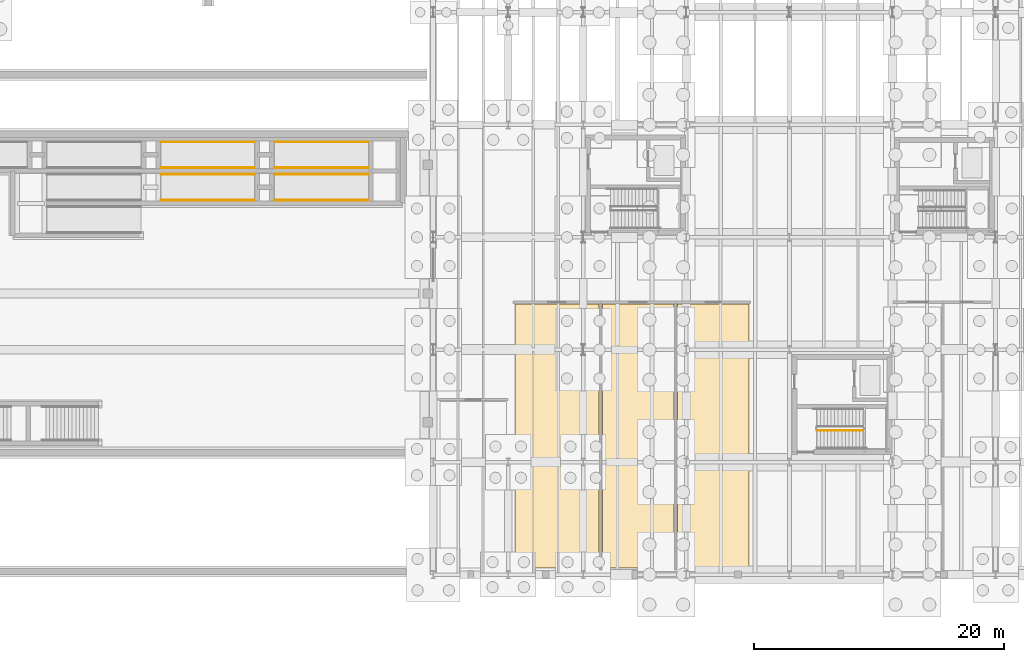
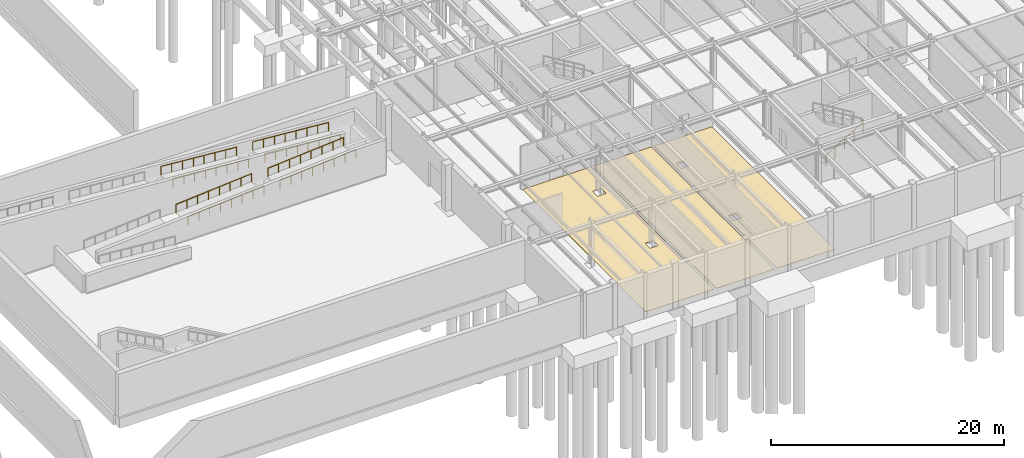
# One storey, part 52 of 59: 9 railings, 3 coverings.
"""IFC4 building model written with IfcOpenShell, lengths in metres."""

from ifc_helpers import new_model, si_unit, direction, frame, origin, origin_2d, place, context, subcontext, project, spatial, polyline, circle, outline, extrude, material, layer, layer_set, type_object, element, save


model = new_model("IFC4")

# Units and contexts
model_context = context("Model", 3, precision=1e-05, world=origin(), true_north=direction((0.0, 1.0)))
body_context = subcontext(model_context, "Body", "Model", "MODEL_VIEW")
ifc_project = project(units=[si_unit("LENGTHUNIT", "METRE"), si_unit("AREAUNIT", "SQUARE_METRE"), si_unit("VOLUMEUNIT", "CUBIC_METRE"), si_unit("PLANEANGLEUNIT", "RADIAN"), si_unit("MASSUNIT", "GRAM", prefix="KILO")], contexts=[model_context])

# Site, building, storey
site_placement = place(None, origin())
site = spatial("IfcSite", under=ifc_project, at=site_placement, CompositionType="ELEMENT")
building_placement = place(site_placement, origin())
building = spatial("IfcBuilding", under=site, at=building_placement, Name="Montealbar Specialist Clinic", CompositionType="ELEMENT")
storey_placement = place(building_placement, frame((0.0, 0.0, -4.800048828125)))
storey = spatial("IfcBuildingStorey", under=building, at=storey_placement, Name="B01", CompositionType="ELEMENT", Elevation=-4.800048828125)

# Coverings
ifc_material_1 = material(Name="Antimicrobial clinical linoleum", Category="wood")
ifc_layer_1 = layer(ifc_material_1, 0.02001953125, Name="Antimicrobial clinical linoleum", Category="wood")
ifc_layer_set_1 = layer_set([ifc_layer_1], Name="Antimicrobial clinical linoleum")
covering_type = type_object("IfcCoveringType", Name="COV-FLR-LINOLEUM", PredefinedType="FLOORING", material=ifc_layer_set_1)
covering_1_placement = place(storey_placement, origin())
element("IfcCovering", 1, at=covering_1_placement, inside=storey, type_object=covering_type, Name="Clinical Flooring Central Sterile Supply & Autoclave Room", PredefinedType="FLOORING", context=body_context, shape_type="SweptSolid", body=[
    extrude(outline(polyline([(60.530029296875, 21.669921875), (67.27001953125, 21.669921875), (67.27001953125, 0.530029296875), (60.530029296875, 0.530029296875), (60.530029296875, 21.669921875)]), holes=[polyline([(66.419921875, 9.419921875), (65.580078125, 9.419921875), (65.580078125, 8.580078125), (66.419921875, 8.580078125), (66.419921875, 9.419921875)]), polyline([(66.419921875, 18.419921875), (65.580078125, 18.419921875), (65.580078125, 17.580078125), (66.419921875, 17.580078125), (66.419921875, 18.419921875)])]), origin(), (0.0, 0.0, 1.0), 0.02001953125),
])
covering_2_placement = place(storey_placement, origin())
element("IfcCovering", 2, at=covering_2_placement, inside=storey, type_object=covering_type, Name="Clinical Flooring Sterile Instrument Packing & Prep Room", PredefinedType="FLOORING", context=body_context, shape_type="SweptSolid", body=[
    extrude(outline(polyline([(67.530029296875, 21.669921875), (73.27001953125, 21.669921875), (73.27001953125, 0.530029296875), (67.530029296875, 0.530029296875), (67.530029296875, 21.669921875)])), origin(), (0.0, 0.0, 1.0), 0.02001953125),
])
covering_3_placement = place(storey_placement, origin())
element("IfcCovering", 3, at=covering_3_placement, inside=storey, type_object=covering_type, Name="Clinical Flooring Hospital Pharmacy Automated Cold Vault", PredefinedType="FLOORING", context=body_context, shape_type="SweptSolid", body=[
    extrude(outline(polyline([(73.530029296875, 21.669921875), (79.27001953125, 21.669921875), (79.27001953125, 0.530029296875), (73.530029296875, 0.530029296875), (73.530029296875, 21.669921875)]), holes=[polyline([(74.669921875, 9.419921875), (73.830078125, 9.419921875), (73.830078125, 8.580078125), (74.669921875, 8.580078125), (74.669921875, 9.419921875)]), polyline([(74.669921875, 18.419921875), (73.830078125, 18.419921875), (73.830078125, 17.580078125), (74.669921875, 17.580078125), (74.669921875, 18.419921875)])]), origin(), (0.0, 0.0, 1.0), 0.02001953125),
])

# Railings
ifc_material_2 = material(Name="Steel S355", Category="steel")
ifc_layer_2 = layer(ifc_material_2, 0.050048828125, Name="Steel S355", Category="steel")
ifc_layer_set_2 = layer_set([ifc_layer_2], Name="Steel S355")
railing_type_1 = type_object("IfcRailingType", Name="RAIL-RAMP-HR-900", PredefinedType="HANDRAIL", material=ifc_layer_set_2)
for number, where, name in (
    (4, (39.699951171875, 32.56005859375, 3.0), "Accessible Ramp Handrail PR-03-S"),
    (5, (39.699951171875, 34.639892578125, 3.0), "Accessible Ramp Handrail PR-03-N"),
):
    element("IfcRailing", number, at=place(storey_placement, frame(where)), inside=storey, type_object=railing_type_1, Name=name, PredefinedType="HANDRAIL", context=body_context, shape_type="SweptSolid", body=[
        extrude(circle(Radius=0.02392578125, at=origin_2d()), frame((0.0, 0.0, 0.8759765625), z_axis=(-0.996814246708, 0.0, 0.079758119089), x_axis=(0.0, -1.0, 0.0)), (0.0, 0.0, 1.0), 7.52392578125),
        extrude(circle(Radius=0.02099609375, at=origin_2d()), frame((0.0, 0.0, -0.02490234375)), (0.0, 0.0, 1.0), 0.876708984375),
        extrude(circle(Radius=0.02099609375, at=origin_2d()), frame((-1.071533203125, 0.0, 0.060791015625)), (0.0, 0.0, 1.0), 0.876708984375),
        extrude(circle(Radius=0.02099609375, at=origin_2d()), frame((-2.142822265625, 0.0, 0.146484375)), (0.0, 0.0, 1.0), 0.876708984375),
        extrude(circle(Radius=0.02099609375, at=origin_2d()), frame((-3.21435546875, 0.0, 0.232177734375)), (0.0, 0.0, 1.0), 0.876708984375),
        extrude(circle(Radius=0.02099609375, at=origin_2d()), frame((-4.28564453125, 0.0, 0.31787109375)), (0.0, 0.0, 1.0), 0.876708984375),
        extrude(circle(Radius=0.02099609375, at=origin_2d()), frame((-5.357177734375, 0.0, 0.403564453125)), (0.0, 0.0, 1.0), 0.876708984375),
        extrude(circle(Radius=0.02099609375, at=origin_2d()), frame((-6.428466796875, 0.0, 0.4892578125)), (0.0, 0.0, 1.0), 0.876708984375),
        extrude(circle(Radius=0.02099609375, at=origin_2d()), frame((-7.5, 0.0, 0.5751953125)), (0.0, 0.0, 1.0), 0.876708984375),
    ])
for number, where, name in (
    (6, (48.800048828125, 32.56005859375, 2.400146484375), "Accessible Ramp Handrail PR-04-S"),
    (7, (48.800048828125, 34.639892578125, 2.400146484375), "Accessible Ramp Handrail PR-04-N"),
):
    element("IfcRailing", number, at=place(storey_placement, frame(where)), inside=storey, type_object=railing_type_1, Name=name, PredefinedType="HANDRAIL", context=body_context, shape_type="SweptSolid", body=[
        extrude(circle(Radius=0.02392578125, at=origin_2d()), frame((0.0, 0.0, 0.8759765625), z_axis=(-0.99681682597, 0.0, 0.079725876999), x_axis=(0.0, -1.0, 0.0)), (0.0, 0.0, 1.0), 7.52392578125),
        extrude(circle(Radius=0.02099609375, at=origin_2d()), frame((0.0, 0.0, -0.02490234375)), (0.0, 0.0, 1.0), 0.876708984375),
        extrude(circle(Radius=0.02099609375, at=origin_2d()), frame((-1.071533203125, 0.0, 0.060791015625)), (0.0, 0.0, 1.0), 0.876708984375),
        extrude(circle(Radius=0.02099609375, at=origin_2d()), frame((-2.142822265625, 0.0, 0.146484375)), (0.0, 0.0, 1.0), 0.876708984375),
        extrude(circle(Radius=0.02099609375, at=origin_2d()), frame((-3.21435546875, 0.0, 0.232177734375)), (0.0, 0.0, 1.0), 0.876708984375),
        extrude(circle(Radius=0.02099609375, at=origin_2d()), frame((-4.28564453125, 0.0, 0.31787109375)), (0.0, 0.0, 1.0), 0.876708984375),
        extrude(circle(Radius=0.02099609375, at=origin_2d()), frame((-5.357177734375, 0.0, 0.403564453125)), (0.0, 0.0, 1.0), 0.876708984375),
        extrude(circle(Radius=0.02099609375, at=origin_2d()), frame((-6.428466796875, 0.0, 0.4892578125)), (0.0, 0.0, 1.0), 0.876708984375),
        extrude(circle(Radius=0.02099609375, at=origin_2d()), frame((-7.5, 0.0, 0.574951171875)), (0.0, 0.0, 1.0), 0.876708984375),
    ])
for number, where, name in (
    (8, (41.300048828125, 29.9599609375, 1.800048828125), "Accessible Ramp Handrail PR-05-S"),
    (9, (41.300048828125, 32.0400390625, 1.800048828125), "Accessible Ramp Handrail PR-05-N"),
    (10, (32.199951171875, 29.9599609375, 1.199951171875), "Accessible Ramp Handrail PR-06-S"),
    (11, (32.199951171875, 32.0400390625, 1.199951171875), "Accessible Ramp Handrail PR-06-N"),
):
    element("IfcRailing", number, at=place(storey_placement, frame(where)), inside=storey, type_object=railing_type_1, Name=name, PredefinedType="HANDRAIL", context=body_context, shape_type="SweptSolid", body=[
        extrude(circle(Radius=0.02392578125, at=origin_2d()), frame((0.0, 0.0, 0.8759765625), z_axis=(0.996814246708, 0.0, 0.079758119089), x_axis=(0.0, 1.0, 0.0)), (0.0, 0.0, 1.0), 7.52392578125),
        extrude(circle(Radius=0.02099609375, at=origin_2d()), frame((0.0, 0.0, -0.02490234375)), (0.0, 0.0, 1.0), 0.876708984375),
        extrude(circle(Radius=0.02099609375, at=origin_2d()), frame((1.071533203125, 0.0, 0.060791015625)), (0.0, 0.0, 1.0), 0.876708984375),
        extrude(circle(Radius=0.02099609375, at=origin_2d()), frame((2.142822265625, 0.0, 0.146484375)), (0.0, 0.0, 1.0), 0.876708984375),
        extrude(circle(Radius=0.02099609375, at=origin_2d()), frame((3.21435546875, 0.0, 0.232177734375)), (0.0, 0.0, 1.0), 0.876708984375),
        extrude(circle(Radius=0.02099609375, at=origin_2d()), frame((4.28564453125, 0.0, 0.31787109375)), (0.0, 0.0, 1.0), 0.876708984375),
        extrude(circle(Radius=0.02099609375, at=origin_2d()), frame((5.357177734375, 0.0, 0.403564453125)), (0.0, 0.0, 1.0), 0.876708984375),
        extrude(circle(Radius=0.02099609375, at=origin_2d()), frame((6.428466796875, 0.0, 0.4892578125)), (0.0, 0.0, 1.0), 0.876708984375),
        extrude(circle(Radius=0.02099609375, at=origin_2d()), frame((7.5, 0.0, 0.5751953125)), (0.0, 0.0, 1.0), 0.876708984375),
    ])
ifc_layer_3 = layer(ifc_material_2, 0.050048828125, Name="Steel S355", Category="steel")
ifc_layer_set_3 = layer_set([ifc_layer_3], Name="Steel S355")
railing_type_2 = type_object("IfcRailingType", Name="RAIL-STAIR-BAL-1100", PredefinedType="BALUSTRADE", material=ifc_layer_set_3)
railing_placement = place(storey_placement, frame((84.699951171875, 11.550048828125, 0.17138671875)))
element("IfcRailing", 12, at=railing_placement, inside=storey, type_object=railing_type_2, Name="B01 ST-04 stair guard 1", PredefinedType="BALUSTRADE", context=body_context, shape_type="SweptSolid", body=[
    extrude(circle(Radius=0.02392578125, at=origin_2d()), frame((0.0, 0.0, 1.076171875), z_axis=(0.856909459561, 0.0, 0.515466951525), x_axis=(0.0, 1.0, 0.0)), (0.0, 0.0, 1.0), 4.32373046875),
    extrude(circle(Radius=0.02099609375, at=origin_2d()), frame((0.0, 0.0, -0.02490234375)), (0.0, 0.0, 1.0), 1.076904296875),
    extrude(circle(Radius=0.02099609375, at=origin_2d()), frame((0.92626953125, 0.0, 0.5322265625)), (0.0, 0.0, 1.0), 1.076904296875),
    extrude(circle(Radius=0.02099609375, at=origin_2d()), frame((1.8525390625, 0.0, 1.08935546875)), (0.0, 0.0, 1.0), 1.076904296875),
    extrude(circle(Radius=0.02099609375, at=origin_2d()), frame((2.77880859375, 0.0, 1.646484375)), (0.0, 0.0, 1.0), 1.076904296875),
    extrude(circle(Radius=0.02099609375, at=origin_2d()), frame((3.705078125, 0.0, 2.203857421875)), (0.0, 0.0, 1.0), 1.076904296875),
])

save(model, "model.ifc")
